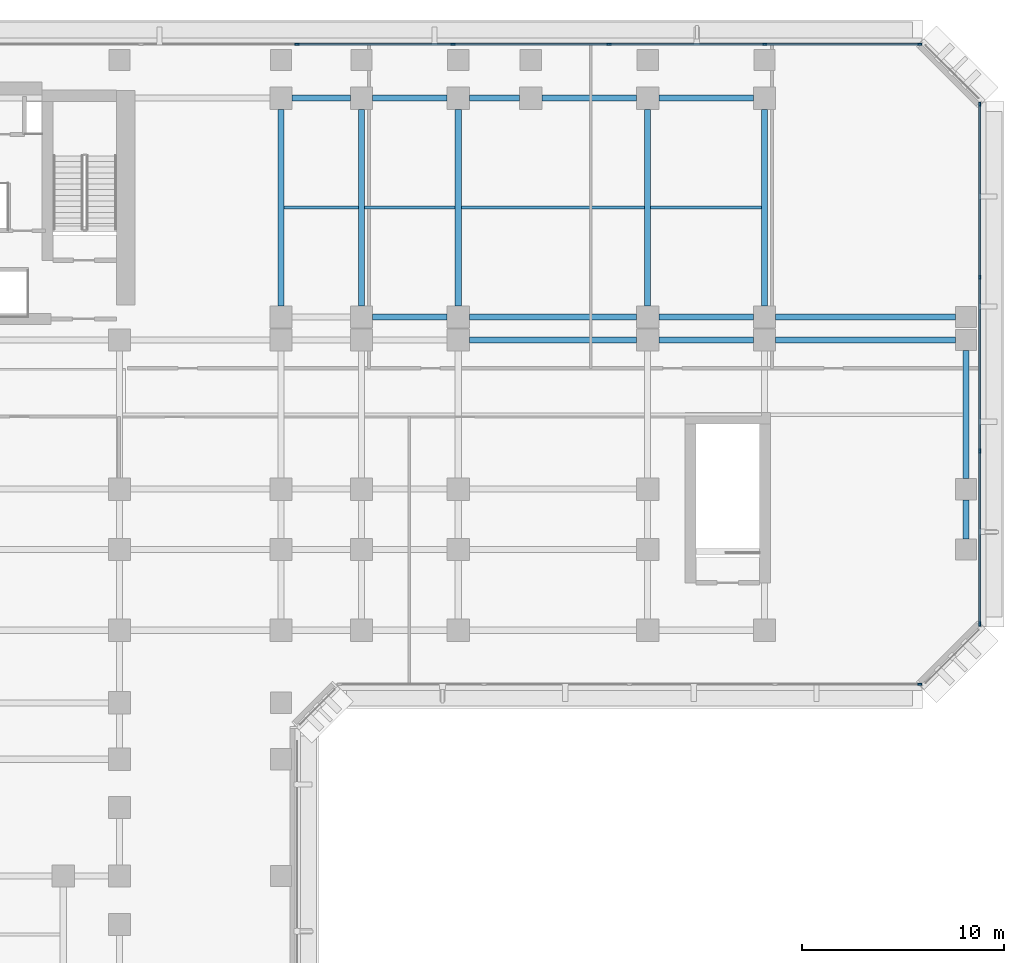
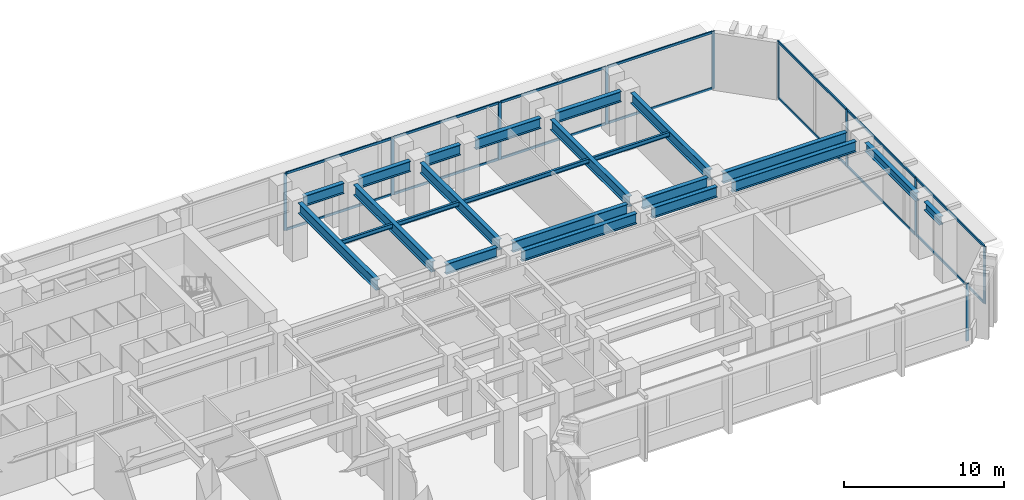
# One storey, part 5 of 14: 24 members, 23 beams, 3 elements without a shape of their own.
"""IFC4 building model written with IfcOpenShell, lengths in metres."""

from ifc_helpers import new_model, si_unit, direction, frame, origin, origin_2d, place, context, subcontext, project, spatial, rectangle, i_section, extrude, material, layer, layer_set, material_profile, profile_set, type_object, element, aggregate, save


model = new_model("IFC4")

# Units and contexts
model_context = context("Model", 3, precision=1e-05, world=origin(), true_north=direction((0.0, 1.0)))
body_context = subcontext(model_context, "Body", "Model", "MODEL_VIEW")
ifc_project = project(units=[si_unit("LENGTHUNIT", "METRE"), si_unit("AREAUNIT", "SQUARE_METRE"), si_unit("VOLUMEUNIT", "CUBIC_METRE"), si_unit("PLANEANGLEUNIT", "RADIAN"), si_unit("MASSUNIT", "GRAM", prefix="KILO")], contexts=[model_context])

# Site, building, storey
site_placement = place(None, origin())
site = spatial("IfcSite", under=ifc_project, at=site_placement, CompositionType="ELEMENT")
building_placement = place(site_placement, origin())
building = spatial("IfcBuilding", under=site, at=building_placement, Name="Kefirva Bronze Tower", CompositionType="ELEMENT")
storey_placement = place(building_placement, frame((0.0, 0.0, 25.739990234375)))
storey = spatial("IfcBuildingStorey", under=building, at=storey_placement, Name="L05", CompositionType="ELEMENT", Elevation=25.739990234375)

# Curtain wall, member
ifc_material_1 = material(Name="Bronze anodised aluminium", Category="aluminium")
ifc_layer = layer(ifc_material_1, 0.239990234375, Name="Bronze anodised aluminium")
ifc_layer_set = layer_set([ifc_layer], Name="Bronze anodised aluminium")
curtain_wall_type = type_object("IfcCurtainWallType", Name="Podium Double-Height Glazed Curtain Wall", PredefinedType="USERDEFINED", material=ifc_layer_set)
curtain_wall_1_placement = place(storey_placement, origin())
curtain_wall_1 = element("IfcCurtainWall", 1, at=curtain_wall_1_placement, inside=storey, type_object=curtain_wall_type, Name="L05 Curtain Wall 2", ObjectType="UNITISED CURTAIN WALL", PredefinedType="USERDEFINED")
ifc_material_profile_1 = material_profile(ifc_material_1, rectangle(XDim=0.090087890625, YDim=0.219970703125, at=origin_2d()), Name="ALU 90x220")
ifc_profile_set_1 = profile_set([ifc_material_profile_1], Name="Bronze anodised aluminium")
member_type_1 = type_object("IfcMemberType", Name="Bronze Mullion 90x220", PredefinedType="MULLION", material=ifc_profile_set_1)
member_1_placement = place(storey_placement, frame((62.89990234375, 16.1201171875, 0.0), z_axis=(0.0, 0.0, 1.0), x_axis=(0.0, 1.0, 0.0)))
member_1 = element("IfcMember", 2, at=member_1_placement, type_object=member_type_1, Name="CW-05 mullion 5", PredefinedType="MULLION", context=body_context, shape_type="SweptSolid", body=[
    extrude(rectangle(XDim=0.090087890625, YDim=0.219970703125, at=origin_2d()), origin(), (0.0, 0.0, 1.0), 4.3701171875),
])
aggregate(curtain_wall_1, [member_1])

# Curtain wall, members
curtain_wall_2_placement = place(storey_placement, origin())
curtain_wall_2 = element("IfcCurtainWall", 3, at=curtain_wall_2_placement, inside=storey, type_object=curtain_wall_type, Name="L05 Curtain Wall 3", ObjectType="UNITISED CURTAIN WALL", PredefinedType="USERDEFINED")
member_2_placement = place(storey_placement, frame((65.8798828125, 19.10009765625, 0.0), z_axis=(0.0, 0.0, 1.0), x_axis=(-1.0, 0.0, 0.0)))
member_2 = element("IfcMember", 4, at=member_2_placement, type_object=member_type_1, Name="CW-05 mullion 1", PredefinedType="MULLION", context=body_context, shape_type="SweptSolid", body=[
    extrude(rectangle(XDim=0.090087890625, YDim=0.219970703125, at=origin_2d()), origin(), (0.0, 0.0, 1.0), 4.3701171875),
])
member_3_placement = place(storey_placement, frame((65.8798828125, 27.68505859375, 0.0), z_axis=(0.0, 0.0, 1.0), x_axis=(-1.0, 0.0, 0.0)))
member_3 = element("IfcMember", 5, at=member_3_placement, type_object=member_type_1, Name="CW-05 mullion 2", PredefinedType="MULLION", context=body_context, shape_type="SweptSolid", body=[
    extrude(rectangle(XDim=0.090087890625, YDim=0.219970703125, at=origin_2d()), origin(), (0.0, 0.0, 1.0), 4.3701171875),
])
member_4_placement = place(storey_placement, frame((65.8798828125, 36.31494140625, 0.0), z_axis=(0.0, 0.0, 1.0), x_axis=(-1.0, 0.0, 0.0)))
member_4 = element("IfcMember", 6, at=member_4_placement, type_object=member_type_1, Name="CW-05 mullion 3", PredefinedType="MULLION", context=body_context, shape_type="SweptSolid", body=[
    extrude(rectangle(XDim=0.090087890625, YDim=0.219970703125, at=origin_2d()), origin(), (0.0, 0.0, 1.0), 4.3701171875),
])
member_5_placement = place(storey_placement, frame((65.8798828125, 44.89990234375, 0.0), z_axis=(0.0, 0.0, 1.0), x_axis=(-1.0, 0.0, 0.0)))
member_5 = element("IfcMember", 7, at=member_5_placement, type_object=member_type_1, Name="CW-05 mullion 4", PredefinedType="MULLION", context=body_context, shape_type="SweptSolid", body=[
    extrude(rectangle(XDim=0.090087890625, YDim=0.219970703125, at=origin_2d()), origin(), (0.0, 0.0, 1.0), 4.3701171875),
])

curtain_wall_3_placement = place(storey_placement, origin())
curtain_wall_3 = element("IfcCurtainWall", 8, at=curtain_wall_3_placement, inside=storey, type_object=curtain_wall_type, Name="L05 Curtain Wall 4", ObjectType="UNITISED CURTAIN WALL", PredefinedType="USERDEFINED")
member_6_placement = place(storey_placement, frame((62.89990234375, 47.8798828125, 0.0), z_axis=(0.0, 0.0, 1.0), x_axis=(0.0, -1.0, 0.0)))
member_6 = element("IfcMember", 9, at=member_6_placement, type_object=member_type_1, Name="CW-05 mullion 1", PredefinedType="MULLION", context=body_context, shape_type="SweptSolid", body=[
    extrude(rectangle(XDim=0.090087890625, YDim=0.219970703125, at=origin_2d()), origin(), (0.0, 0.0, 1.0), 4.3701171875),
])
member_7_placement = place(storey_placement, frame((55.208740234375, 47.8798828125, 0.0), z_axis=(0.0, 0.0, 1.0), x_axis=(0.0, -1.0, 0.0)))
member_7 = element("IfcMember", 10, at=member_7_placement, type_object=member_type_1, Name="CW-05 mullion 2", PredefinedType="MULLION", context=body_context, shape_type="SweptSolid", body=[
    extrude(rectangle(XDim=0.090087890625, YDim=0.219970703125, at=origin_2d()), origin(), (0.0, 0.0, 1.0), 4.3701171875),
])
member_8_placement = place(storey_placement, frame((47.472412109375, 47.8798828125, 0.0), z_axis=(0.0, 0.0, 1.0), x_axis=(0.0, -1.0, 0.0)))
member_8 = element("IfcMember", 11, at=member_8_placement, type_object=member_type_1, Name="CW-05 mullion 3", PredefinedType="MULLION", context=body_context, shape_type="SweptSolid", body=[
    extrude(rectangle(XDim=0.090087890625, YDim=0.219970703125, at=origin_2d()), origin(), (0.0, 0.0, 1.0), 4.3701171875),
])
member_9_placement = place(storey_placement, frame((39.736328125, 47.8798828125, 0.0), z_axis=(0.0, 0.0, 1.0), x_axis=(0.0, -1.0, 0.0)))
member_9 = element("IfcMember", 12, at=member_9_placement, type_object=member_type_1, Name="CW-05 mullion 4", PredefinedType="MULLION", context=body_context, shape_type="SweptSolid", body=[
    extrude(rectangle(XDim=0.090087890625, YDim=0.219970703125, at=origin_2d()), origin(), (0.0, 0.0, 1.0), 4.3701171875),
])
member_10_placement = place(storey_placement, frame((32.0, 47.8798828125, 0.0), z_axis=(0.0, 0.0, 1.0), x_axis=(0.0, -1.0, 0.0)))
member_10 = element("IfcMember", 13, at=member_10_placement, type_object=member_type_1, Name="CW-05 mullion 5", PredefinedType="MULLION", context=body_context, shape_type="SweptSolid", body=[
    extrude(rectangle(XDim=0.090087890625, YDim=0.219970703125, at=origin_2d()), origin(), (0.0, 0.0, 1.0), 4.3701171875),
])

# Member
ifc_material_profile_2 = material_profile(ifc_material_1, rectangle(XDim=0.090087890625, YDim=0.179931640625, at=origin_2d()), Name="ALU 90x180")
ifc_profile_set_2 = profile_set([ifc_material_profile_2], Name="Bronze anodised aluminium")
member_type_2 = type_object("IfcMemberType", Name="Bronze Transom 90x180", PredefinedType="USERDEFINED", material=ifc_profile_set_2)
member_11_placement = place(storey_placement, frame((65.8798828125, 19.14501953125, 0.044921875), z_axis=(0.0, 1.0, 0.0), x_axis=(-1.0, 0.0, 0.0)))
member_11 = element("IfcMember", 14, at=member_11_placement, type_object=member_type_2, Name="CW-05 transom 1.1", ObjectType="TRANSOM", PredefinedType="USERDEFINED", context=body_context, shape_type="SweptSolid", body=[
    extrude(rectangle(XDim=0.090087890625, YDim=0.179931640625, at=origin_2d()), origin(), (0.0, 0.0, 1.0), 8.494873046875),
])

member_12_placement = place(storey_placement, frame((65.8798828125, 19.14501953125, 4.324951171875), z_axis=(0.0, 1.0, 0.0), x_axis=(-1.0, 0.0, 0.0)))
member_12 = element("IfcMember", 15, at=member_12_placement, type_object=member_type_2, Name="CW-05 transom 1.2", ObjectType="TRANSOM", PredefinedType="USERDEFINED", context=body_context, shape_type="SweptSolid", body=[
    extrude(rectangle(XDim=0.090087890625, YDim=0.179931640625, at=origin_2d()), origin(), (0.0, 0.0, 1.0), 8.494873046875),
])

member_13_placement = place(storey_placement, frame((65.8798828125, 27.72998046875, 0.044921875), z_axis=(0.0, 1.0, 0.0), x_axis=(-1.0, 0.0, 0.0)))
member_13 = element("IfcMember", 16, at=member_13_placement, type_object=member_type_2, Name="CW-05 transom 2.1", ObjectType="TRANSOM", PredefinedType="USERDEFINED", context=body_context, shape_type="SweptSolid", body=[
    extrude(rectangle(XDim=0.090087890625, YDim=0.179931640625, at=origin_2d()), origin(), (0.0, 0.0, 1.0), 8.5400390625),
])

member_14_placement = place(storey_placement, frame((65.8798828125, 27.72998046875, 4.324951171875), z_axis=(0.0, 1.0, 0.0), x_axis=(-1.0, 0.0, 0.0)))
member_14 = element("IfcMember", 17, at=member_14_placement, type_object=member_type_2, Name="CW-05 transom 2.2", ObjectType="TRANSOM", PredefinedType="USERDEFINED", context=body_context, shape_type="SweptSolid", body=[
    extrude(rectangle(XDim=0.090087890625, YDim=0.179931640625, at=origin_2d()), origin(), (0.0, 0.0, 1.0), 8.5400390625),
])

member_15_placement = place(storey_placement, frame((65.8798828125, 36.360107421875, 0.044921875), z_axis=(0.0, 1.0, 0.0), x_axis=(-1.0, 0.0, 0.0)))
member_15 = element("IfcMember", 18, at=member_15_placement, type_object=member_type_2, Name="CW-05 transom 3.1", ObjectType="TRANSOM", PredefinedType="USERDEFINED", context=body_context, shape_type="SweptSolid", body=[
    extrude(rectangle(XDim=0.090087890625, YDim=0.179931640625, at=origin_2d()), origin(), (0.0, 0.0, 1.0), 8.494873046875),
])

member_16_placement = place(storey_placement, frame((65.8798828125, 36.360107421875, 4.324951171875), z_axis=(0.0, 1.0, 0.0), x_axis=(-1.0, 0.0, 0.0)))
member_16 = element("IfcMember", 19, at=member_16_placement, type_object=member_type_2, Name="CW-05 transom 3.2", ObjectType="TRANSOM", PredefinedType="USERDEFINED", context=body_context, shape_type="SweptSolid", body=[
    extrude(rectangle(XDim=0.090087890625, YDim=0.179931640625, at=origin_2d()), origin(), (0.0, 0.0, 1.0), 8.494873046875),
])

aggregate(curtain_wall_2, [member_2, member_3, member_4, member_5, member_11, member_12, member_13, member_14, member_15, member_16])

member_17_placement = place(storey_placement, frame((62.85498046875, 47.8798828125, 0.044921875), z_axis=(-1.0, 0.0, 0.0), x_axis=(0.0, -1.0, 0.0)))
member_17 = element("IfcMember", 20, at=member_17_placement, type_object=member_type_2, Name="CW-05 transom 1.1", ObjectType="TRANSOM", PredefinedType="USERDEFINED", context=body_context, shape_type="SweptSolid", body=[
    extrude(rectangle(XDim=0.090087890625, YDim=0.179931640625, at=origin_2d()), origin(), (0.0, 0.0, 1.0), 7.601318359375),
])

member_18_placement = place(storey_placement, frame((62.85498046875, 47.8798828125, 4.324951171875), z_axis=(-1.0, 0.0, 0.0), x_axis=(0.0, -1.0, 0.0)))
member_18 = element("IfcMember", 21, at=member_18_placement, type_object=member_type_2, Name="CW-05 transom 1.2", ObjectType="TRANSOM", PredefinedType="USERDEFINED", context=body_context, shape_type="SweptSolid", body=[
    extrude(rectangle(XDim=0.090087890625, YDim=0.179931640625, at=origin_2d()), origin(), (0.0, 0.0, 1.0), 7.601318359375),
])

member_19_placement = place(storey_placement, frame((55.163818359375, 47.8798828125, 0.044921875), z_axis=(-1.0, 0.0, 0.0), x_axis=(0.0, -1.0, 0.0)))
member_19 = element("IfcMember", 22, at=member_19_placement, type_object=member_type_2, Name="CW-05 transom 2.1", ObjectType="TRANSOM", PredefinedType="USERDEFINED", context=body_context, shape_type="SweptSolid", body=[
    extrude(rectangle(XDim=0.090087890625, YDim=0.179931640625, at=origin_2d()), origin(), (0.0, 0.0, 1.0), 7.646240234375),
])

member_20_placement = place(storey_placement, frame((55.163818359375, 47.8798828125, 4.324951171875), z_axis=(-1.0, 0.0, 0.0), x_axis=(0.0, -1.0, 0.0)))
member_20 = element("IfcMember", 23, at=member_20_placement, type_object=member_type_2, Name="CW-05 transom 2.2", ObjectType="TRANSOM", PredefinedType="USERDEFINED", context=body_context, shape_type="SweptSolid", body=[
    extrude(rectangle(XDim=0.090087890625, YDim=0.179931640625, at=origin_2d()), origin(), (0.0, 0.0, 1.0), 7.646240234375),
])

member_21_placement = place(storey_placement, frame((47.427490234375, 47.8798828125, 0.044921875), z_axis=(-1.0, 0.0, 0.0), x_axis=(0.0, -1.0, 0.0)))
member_21 = element("IfcMember", 24, at=member_21_placement, type_object=member_type_2, Name="CW-05 transom 3.1", ObjectType="TRANSOM", PredefinedType="USERDEFINED", context=body_context, shape_type="SweptSolid", body=[
    extrude(rectangle(XDim=0.090087890625, YDim=0.179931640625, at=origin_2d()), origin(), (0.0, 0.0, 1.0), 7.646240234375),
])

member_22_placement = place(storey_placement, frame((47.427490234375, 47.8798828125, 4.324951171875), z_axis=(-1.0, 0.0, 0.0), x_axis=(0.0, -1.0, 0.0)))
member_22 = element("IfcMember", 25, at=member_22_placement, type_object=member_type_2, Name="CW-05 transom 3.2", ObjectType="TRANSOM", PredefinedType="USERDEFINED", context=body_context, shape_type="SweptSolid", body=[
    extrude(rectangle(XDim=0.090087890625, YDim=0.179931640625, at=origin_2d()), origin(), (0.0, 0.0, 1.0), 7.646240234375),
])

member_23_placement = place(storey_placement, frame((39.691162109375, 47.8798828125, 0.044921875), z_axis=(-1.0, 0.0, 0.0), x_axis=(0.0, -1.0, 0.0)))
member_23 = element("IfcMember", 26, at=member_23_placement, type_object=member_type_2, Name="CW-05 transom 4.1", ObjectType="TRANSOM", PredefinedType="USERDEFINED", context=body_context, shape_type="SweptSolid", body=[
    extrude(rectangle(XDim=0.090087890625, YDim=0.179931640625, at=origin_2d()), origin(), (0.0, 0.0, 1.0), 7.646240234375),
])

member_24_placement = place(storey_placement, frame((39.691162109375, 47.8798828125, 4.324951171875), z_axis=(-1.0, 0.0, 0.0), x_axis=(0.0, -1.0, 0.0)))
member_24 = element("IfcMember", 27, at=member_24_placement, type_object=member_type_2, Name="CW-05 transom 4.2", ObjectType="TRANSOM", PredefinedType="USERDEFINED", context=body_context, shape_type="SweptSolid", body=[
    extrude(rectangle(XDim=0.090087890625, YDim=0.179931640625, at=origin_2d()), origin(), (0.0, 0.0, 1.0), 7.646240234375),
])

aggregate(curtain_wall_3, [member_6, member_7, member_8, member_9, member_10, member_17, member_18, member_19, member_20, member_21, member_22, member_23, member_24])

# Beams
ifc_material_2 = material(Name="Steel S355", Category="steel")
ifc_material_profile_3 = material_profile(ifc_material_2, i_section(OverallWidth=0.159912109375, OverallDepth=0.330078125, WebThickness=0.007568359375, FlangeThickness=0.011474609375, at=origin_2d()), Name="IPE 330")
ifc_profile_set_3 = profile_set([ifc_material_profile_3], Name="Steel S355")
beam_type_1 = type_object("IfcBeamType", Name="Steel Floor Joist IPE 330", PredefinedType="JOIST", material=ifc_profile_set_3)
beam_1_placement = place(storey_placement, frame((31.35009765625, 39.77490234375, 4.205078125), z_axis=(1.0, 0.0, 0.0), x_axis=(0.0, 1.0, 0.0)))
element("IfcBeam", 28, at=beam_1_placement, inside=storey, type_object=beam_type_1, Name="L05 JST-L05-31-397", PredefinedType="JOIST", context=body_context, shape_type="SweptSolid", body=[
    extrude(i_section(OverallWidth=0.159912109375, OverallDepth=0.330078125, WebThickness=0.007568359375, FlangeThickness=0.011474609375, at=origin_2d()), origin(), (0.0, 0.0, 1.0), 3.699951171875),
])
beam_2_placement = place(storey_placement, frame((35.35009765625, 39.77490234375, 4.205078125), z_axis=(1.0, 0.0, 0.0), x_axis=(0.0, 1.0, 0.0)))
element("IfcBeam", 29, at=beam_2_placement, inside=storey, type_object=beam_type_1, Name="L05 JST-L05-35-397", PredefinedType="JOIST", context=body_context, shape_type="SweptSolid", body=[
    extrude(i_section(OverallWidth=0.159912109375, OverallDepth=0.330078125, WebThickness=0.007568359375, FlangeThickness=0.011474609375, at=origin_2d()), origin(), (0.0, 0.0, 1.0), 4.5),
])
beam_3_placement = place(storey_placement, frame((40.14990234375, 39.77490234375, 4.205078125), z_axis=(1.0, 0.0, 0.0), x_axis=(0.0, 1.0, 0.0)))
element("IfcBeam", 30, at=beam_3_placement, inside=storey, type_object=beam_type_1, Name="L05 JST-L05-40-397", PredefinedType="JOIST", context=body_context, shape_type="SweptSolid", body=[
    extrude(i_section(OverallWidth=0.159912109375, OverallDepth=0.330078125, WebThickness=0.007568359375, FlangeThickness=0.011474609375, at=origin_2d()), origin(), (0.0, 0.0, 1.0), 9.10009765625),
])
beam_4_placement = place(storey_placement, frame((49.550048828125, 39.77490234375, 4.205078125), z_axis=(1.0, 0.0, 0.0), x_axis=(0.0, 1.0, 0.0)))
element("IfcBeam", 31, at=beam_4_placement, inside=storey, type_object=beam_type_1, Name="L05 JST-L05-49-397", PredefinedType="JOIST", context=body_context, shape_type="SweptSolid", body=[
    extrude(i_section(OverallWidth=0.159912109375, OverallDepth=0.330078125, WebThickness=0.007568359375, FlangeThickness=0.011474609375, at=origin_2d()), origin(), (0.0, 0.0, 1.0), 5.5),
])
ifc_material_profile_4 = material_profile(ifc_material_2, i_section(OverallWidth=0.300048828125, OverallDepth=0.800048828125, WebThickness=0.017578125, FlangeThickness=0.032958984375, at=origin_2d()), Name="HEB 800")
ifc_profile_set_4 = profile_set([ifc_material_profile_4], Name="Steel S355")
beam_type_2 = type_object("IfcBeamType", Name="Steel Girder HEB 800", PredefinedType="USERDEFINED", material=ifc_profile_set_4)
beam_5_placement = place(storey_placement, frame((40.550048828125, 33.199951171875, 3.969970703125), z_axis=(1.0, 0.0, 0.0), x_axis=(0.0, 1.0, 0.0)))
element("IfcBeam", 32, at=beam_5_placement, inside=storey, type_object=beam_type_2, Name="L05 BM-L05-EW-40-332", ObjectType="GIRDER", PredefinedType="USERDEFINED", context=body_context, shape_type="SweptSolid", body=[
    extrude(i_section(OverallWidth=0.300048828125, OverallDepth=0.800048828125, WebThickness=0.017578125, FlangeThickness=0.032958984375, at=origin_2d()), origin(), (0.0, 0.0, 1.0), 8.300048828125),
])
beam_6_placement = place(storey_placement, frame((49.949951171875, 33.199951171875, 3.969970703125), z_axis=(1.0, 0.0, 0.0), x_axis=(0.0, 1.0, 0.0)))
element("IfcBeam", 33, at=beam_6_placement, inside=storey, type_object=beam_type_2, Name="L05 BM-L05-EW-49-332", ObjectType="GIRDER", PredefinedType="USERDEFINED", context=body_context, shape_type="SweptSolid", body=[
    extrude(i_section(OverallWidth=0.300048828125, OverallDepth=0.800048828125, WebThickness=0.017578125, FlangeThickness=0.032958984375, at=origin_2d()), origin(), (0.0, 0.0, 1.0), 4.699951171875),
])
beam_7_placement = place(storey_placement, frame((55.75, 33.199951171875, 3.919921875), z_axis=(1.0, 0.0, 0.0), x_axis=(0.0, 1.0, 0.0)))
element("IfcBeam", 34, at=beam_7_placement, inside=storey, type_object=beam_type_2, Name="L05 BM-L05-EW-55-332", ObjectType="GIRDER", PredefinedType="USERDEFINED", context=body_context, shape_type="SweptSolid", body=[
    extrude(i_section(OverallWidth=0.300048828125, OverallDepth=0.800048828125, WebThickness=0.017578125, FlangeThickness=0.032958984375, at=origin_2d()), origin(), (0.0, 0.0, 1.0), 8.925048828125),
])
beam_8_placement = place(storey_placement, frame((35.75, 34.35009765625, 3.969970703125), z_axis=(1.0, 0.0, 0.0), x_axis=(0.0, 1.0, 0.0)))
element("IfcBeam", 35, at=beam_8_placement, inside=storey, type_object=beam_type_2, Name="L05 BM-L05-EW-35-344", ObjectType="GIRDER", PredefinedType="USERDEFINED", context=body_context, shape_type="SweptSolid", body=[
    extrude(i_section(OverallWidth=0.300048828125, OverallDepth=0.800048828125, WebThickness=0.017578125, FlangeThickness=0.032958984375, at=origin_2d()), origin(), (0.0, 0.0, 1.0), 3.699951171875),
])
beam_9_placement = place(storey_placement, frame((40.550048828125, 34.35009765625, 3.969970703125), z_axis=(1.0, 0.0, 0.0), x_axis=(0.0, 1.0, 0.0)))
element("IfcBeam", 36, at=beam_9_placement, inside=storey, type_object=beam_type_2, Name="L05 BM-L05-EW-40-344", ObjectType="GIRDER", PredefinedType="USERDEFINED", context=body_context, shape_type="SweptSolid", body=[
    extrude(i_section(OverallWidth=0.300048828125, OverallDepth=0.800048828125, WebThickness=0.017578125, FlangeThickness=0.032958984375, at=origin_2d()), origin(), (0.0, 0.0, 1.0), 8.300048828125),
])
beam_10_placement = place(storey_placement, frame((49.949951171875, 34.35009765625, 3.969970703125), z_axis=(1.0, 0.0, 0.0), x_axis=(0.0, 1.0, 0.0)))
element("IfcBeam", 37, at=beam_10_placement, inside=storey, type_object=beam_type_2, Name="L05 BM-L05-EW-49-344", ObjectType="GIRDER", PredefinedType="USERDEFINED", context=body_context, shape_type="SweptSolid", body=[
    extrude(i_section(OverallWidth=0.300048828125, OverallDepth=0.800048828125, WebThickness=0.017578125, FlangeThickness=0.032958984375, at=origin_2d()), origin(), (0.0, 0.0, 1.0), 4.699951171875),
])
beam_11_placement = place(storey_placement, frame((55.75, 34.35009765625, 3.919921875), z_axis=(1.0, 0.0, 0.0), x_axis=(0.0, 1.0, 0.0)))
element("IfcBeam", 38, at=beam_11_placement, inside=storey, type_object=beam_type_2, Name="L05 BM-L05-EW-55-344", ObjectType="GIRDER", PredefinedType="USERDEFINED", context=body_context, shape_type="SweptSolid", body=[
    extrude(i_section(OverallWidth=0.300048828125, OverallDepth=0.800048828125, WebThickness=0.017578125, FlangeThickness=0.032958984375, at=origin_2d()), origin(), (0.0, 0.0, 1.0), 8.925048828125),
])
beam_12_placement = place(storey_placement, frame((31.75, 45.199951171875, 3.969970703125), z_axis=(1.0, 0.0, 0.0), x_axis=(0.0, 1.0, 0.0)))
element("IfcBeam", 39, at=beam_12_placement, inside=storey, type_object=beam_type_2, Name="L05 BM-L05-EW-31-452", ObjectType="GIRDER", PredefinedType="USERDEFINED", context=body_context, shape_type="SweptSolid", body=[
    extrude(i_section(OverallWidth=0.300048828125, OverallDepth=0.800048828125, WebThickness=0.017578125, FlangeThickness=0.032958984375, at=origin_2d()), origin(), (0.0, 0.0, 1.0), 2.89990234375),
])
beam_13_placement = place(storey_placement, frame((35.75, 45.199951171875, 3.969970703125), z_axis=(1.0, 0.0, 0.0), x_axis=(0.0, 1.0, 0.0)))
element("IfcBeam", 40, at=beam_13_placement, inside=storey, type_object=beam_type_2, Name="L05 BM-L05-EW-35-452", ObjectType="GIRDER", PredefinedType="USERDEFINED", context=body_context, shape_type="SweptSolid", body=[
    extrude(i_section(OverallWidth=0.300048828125, OverallDepth=0.800048828125, WebThickness=0.017578125, FlangeThickness=0.032958984375, at=origin_2d()), origin(), (0.0, 0.0, 1.0), 3.699951171875),
])
beam_14_placement = place(storey_placement, frame((40.550048828125, 45.199951171875, 3.969970703125), z_axis=(1.0, 0.0, 0.0), x_axis=(0.0, 1.0, 0.0)))
element("IfcBeam", 41, at=beam_14_placement, inside=storey, type_object=beam_type_2, Name="L05 BM-L05-EW-40-452", ObjectType="GIRDER", PredefinedType="USERDEFINED", context=body_context, shape_type="SweptSolid", body=[
    extrude(i_section(OverallWidth=0.300048828125, OverallDepth=0.800048828125, WebThickness=0.017578125, FlangeThickness=0.032958984375, at=origin_2d()), origin(), (0.0, 0.0, 1.0), 2.5),
])
beam_15_placement = place(storey_placement, frame((44.14990234375, 45.199951171875, 3.969970703125), z_axis=(1.0, 0.0, 0.0), x_axis=(0.0, 1.0, 0.0)))
element("IfcBeam", 42, at=beam_15_placement, inside=storey, type_object=beam_type_2, Name="L05 BM-L05-EW-43-452", ObjectType="GIRDER", PredefinedType="USERDEFINED", context=body_context, shape_type="SweptSolid", body=[
    extrude(i_section(OverallWidth=0.300048828125, OverallDepth=0.800048828125, WebThickness=0.017578125, FlangeThickness=0.032958984375, at=origin_2d()), origin(), (0.0, 0.0, 1.0), 4.7001953125),
])
beam_16_placement = place(storey_placement, frame((49.949951171875, 45.199951171875, 3.969970703125), z_axis=(1.0, 0.0, 0.0), x_axis=(0.0, 1.0, 0.0)))
element("IfcBeam", 43, at=beam_16_placement, inside=storey, type_object=beam_type_2, Name="L05 BM-L05-EW-49-452", ObjectType="GIRDER", PredefinedType="USERDEFINED", context=body_context, shape_type="SweptSolid", body=[
    extrude(i_section(OverallWidth=0.300048828125, OverallDepth=0.800048828125, WebThickness=0.017578125, FlangeThickness=0.032958984375, at=origin_2d()), origin(), (0.0, 0.0, 1.0), 4.699951171875),
])
for number, where, z_axis, x_axis, name in (
    (44, (31.199951171875, 34.89990234375, 3.969970703125), (0.0, 1.0, 0.0), (-1.0, 0.0, 0.0), "L05 BM-L05-NS-312-34"),
    (45, (35.199951171875, 34.89990234375, 3.969970703125), (0.0, 1.0, 0.0), (-1.0, 0.0, 0.0), "L05 BM-L05-NS-352-34"),
    (46, (40.0, 34.89990234375, 3.969970703125), (0.0, 1.0, 0.0), (-1.0, 0.0, 0.0), "L05 BM-L05-NS-400-34"),
    (47, (49.39990234375, 34.89990234375, 3.969970703125), (0.0, 1.0, 0.0), (-1.0, 0.0, 0.0), "L05 BM-L05-NS-494-34"),
    (48, (55.199951171875, 34.89990234375, 3.969970703125), (0.0, 1.0, 0.0), (-1.0, 0.0, 0.0), "L05 BM-L05-NS-552-34"),
):
    element("IfcBeam", number, at=place(storey_placement, frame(where, z_axis=z_axis, x_axis=x_axis)), inside=storey, type_object=beam_type_2, Name=name, ObjectType="GIRDER", PredefinedType="USERDEFINED", context=body_context, shape_type="SweptSolid", body=[
        extrude(i_section(OverallWidth=0.300048828125, OverallDepth=0.800048828125, WebThickness=0.017578125, FlangeThickness=0.032958984375, at=origin_2d()), origin(), (0.0, 0.0, 1.0), 9.75),
    ])
ifc_material_profile_5 = material_profile(ifc_material_2, i_section(OverallWidth=0.300048828125, OverallDepth=0.64990234375, WebThickness=0.01611328125, FlangeThickness=0.031005859375, at=origin_2d()), Name="HEB 650")
ifc_profile_set_5 = profile_set([ifc_material_profile_5], Name="Steel S355")
beam_type_3 = type_object("IfcBeamType", Name="Steel Spandrel HEB 650 Ext", PredefinedType="SPANDREL", material=ifc_profile_set_5)
beam_17_placement = place(storey_placement, frame((65.199951171875, 23.324951171875, 3.9951171875), z_axis=(0.0, 1.0, 0.0), x_axis=(-1.0, 0.0, 0.0)))
element("IfcBeam", 49, at=beam_17_placement, inside=storey, type_object=beam_type_3, Name="L05 BM-L05-NS-652-22", PredefinedType="SPANDREL", context=body_context, shape_type="SweptSolid", body=[
    extrude(i_section(OverallWidth=0.300048828125, OverallDepth=0.64990234375, WebThickness=0.01611328125, FlangeThickness=0.031005859375, at=origin_2d()), origin(), (0.0, 0.0, 1.0), 1.949951171875),
])
beam_18_placement = place(storey_placement, frame((65.199951171875, 26.324951171875, 3.9951171875), z_axis=(0.0, 1.0, 0.0), x_axis=(-1.0, 0.0, 0.0)))
element("IfcBeam", 50, at=beam_18_placement, inside=storey, type_object=beam_type_3, Name="L05 BM-L05-NS-652-25", PredefinedType="SPANDREL", context=body_context, shape_type="SweptSolid", body=[
    extrude(i_section(OverallWidth=0.300048828125, OverallDepth=0.64990234375, WebThickness=0.01611328125, FlangeThickness=0.031005859375, at=origin_2d()), origin(), (0.0, 0.0, 1.0), 6.35009765625),
])

save(model, "model.ifc")
